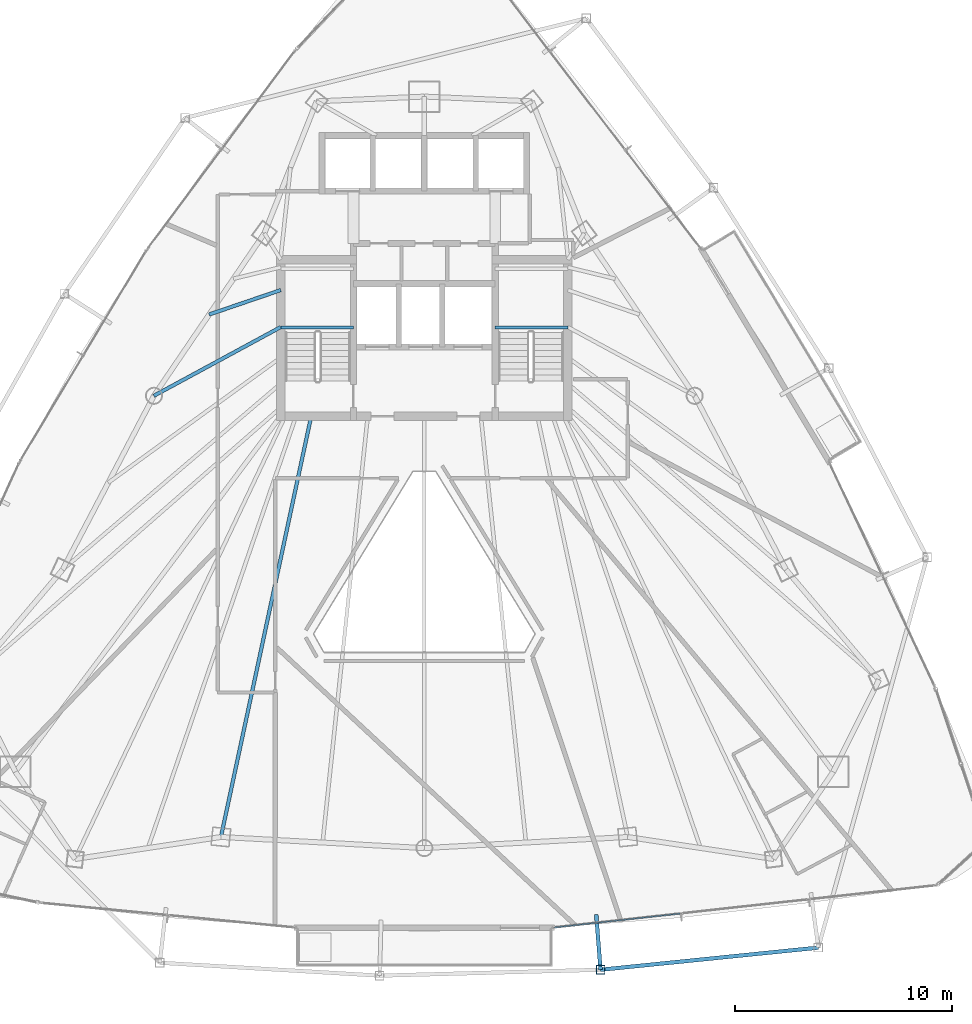
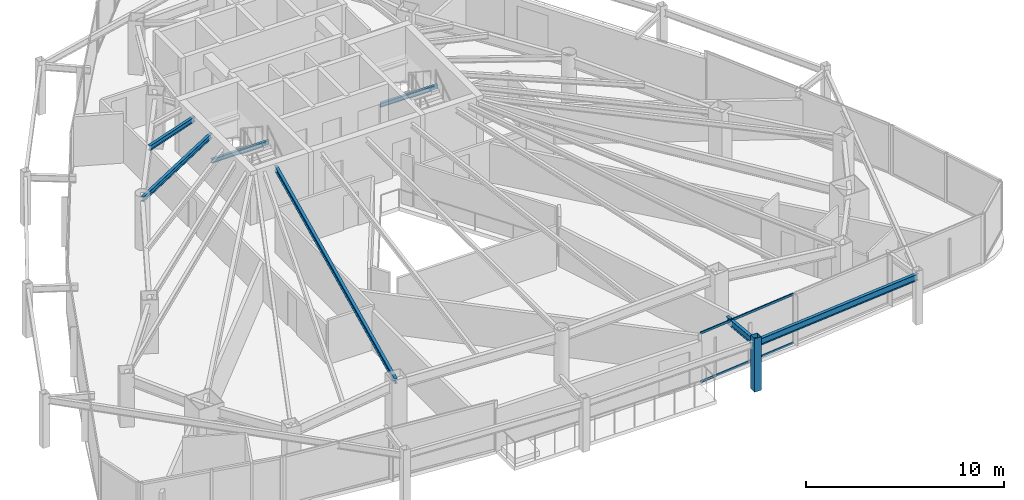
# One storey, part 12 of 31: 7 beams, 3 members, 1 element without a shape of its own.
"""IFC4 building model written with IfcOpenShell, lengths in metres."""

from ifc_helpers import new_model, si_unit, direction, frame, origin, origin_2d, place, context, subcontext, project, spatial, hollow_rectangle, i_section, extrude, material, layer, layer_set, material_profile, profile_set, type_object, element, aggregate, save


model = new_model("IFC4")

# Units and contexts
model_context = context("Model", 3, precision=1e-05, world=origin(), true_north=direction((0.0, 1.0)))
body_context = subcontext(model_context, "Body", "Model", "MODEL_VIEW")
ifc_project = project(units=[si_unit("LENGTHUNIT", "METRE"), si_unit("AREAUNIT", "SQUARE_METRE"), si_unit("VOLUMEUNIT", "CUBIC_METRE"), si_unit("PLANEANGLEUNIT", "RADIAN"), si_unit("MASSUNIT", "GRAM", prefix="KILO")], contexts=[model_context])

# Site, building, storey
site_placement = place(None, origin())
site = spatial("IfcSite", under=ifc_project, at=site_placement, CompositionType="ELEMENT")
building_placement = place(site_placement, origin())
building = spatial("IfcBuilding", under=site, at=building_placement, Name="Orvanel Arch Residences", CompositionType="ELEMENT")
storey_placement = place(building_placement, frame((0.0, 0.0, 126.5)))
storey = spatial("IfcBuildingStorey", under=building, at=storey_placement, Name="L35", CompositionType="ELEMENT", Elevation=126.5)

# Beams
ifc_material_1 = material(Name="Structural steel AS/NZS 3679.1 Grade 300 (300 MPa)", Category="steel")
ifc_material_profile_1 = material_profile(ifc_material_1, i_section(OverallWidth=0.14599609375, OverallDepth=0.251953125, WebThickness=0.006103515625, FlangeThickness=0.008544921875, at=origin_2d()), Name="250UB31.4")
ifc_profile_set_1 = profile_set([ifc_material_profile_1], Name="Structural steel AS/NZS 3679.1 Grade 300 (300 MPa)")
beam_type_1 = type_object("IfcBeamType", Name="BJ-250UB", PredefinedType="JOIST", material=ifc_profile_set_1)
for number, where, z_axis, x_axis, name in (
    (1, (26.39990234375, 30.780029296875, 1.323974609375), (1.0, 0.0, 0.0), (0.0, 1.0, 0.0), "L35 ST-1 Half-Landing Support Beam 1.1"),
    (2, (36.25, 30.780029296875, 1.323974609375), (1.0, 0.0, 0.0), (0.0, 1.0, 0.0), "L35 ST-2 Half-Landing Support Beam 1.1"),
):
    element("IfcBeam", number, at=place(storey_placement, frame(where, z_axis=z_axis, x_axis=x_axis)), inside=storey, type_object=beam_type_1, Name=name, PredefinedType="JOIST", context=body_context, shape_type="SweptSolid", body=[
        extrude(i_section(OverallWidth=0.14599609375, OverallDepth=0.251953125, WebThickness=0.006103515625, FlangeThickness=0.008544921875, at=origin_2d()), origin(), (0.0, 0.0, 1.0), 3.35009765625),
    ])
ifc_material_profile_2 = material_profile(ifc_material_1, i_section(OverallWidth=0.1650390625, OverallDepth=0.303955078125, WebThickness=0.006103515625, FlangeThickness=0.01025390625, at=origin_2d()), Name="310UB40.4")
ifc_profile_set_2 = profile_set([ifc_material_profile_2], Name="Structural steel AS/NZS 3679.1 Grade 300 (300 MPa)")
beam_type_2 = type_object("IfcBeamType", Name="BJ-310UB", PredefinedType="JOIST", material=ifc_profile_set_2)
beam_1_placement = place(storey_placement, frame((26.39990234375, 30.800048828125, 2.907958984375), z_axis=(-0.87925534649, -0.476350748576, 0.0), x_axis=(0.476350748576, -0.87925534649, 0.0)))
element("IfcBeam", 3, at=beam_1_placement, inside=storey, type_object=beam_type_2, Name="L35 NW Wing Floor Joist", PredefinedType="JOIST", context=body_context, shape_type="SweptSolid", body=[
    extrude(i_section(OverallWidth=0.1650390625, OverallDepth=0.303955078125, WebThickness=0.006103515625, FlangeThickness=0.01025390625, at=origin_2d()), origin(), (0.0, 0.0, 1.0), 6.631591796875),
])
beam_2_placement = place(storey_placement, frame((27.800048828125, 26.699951171875, 2.907958984375), z_axis=(-0.209808012425, -0.977742603103, 0.0), x_axis=(0.977742603103, -0.209808012425, 0.0)))
element("IfcBeam", 4, at=beam_2_placement, inside=storey, type_object=beam_type_2, Name="L35 SW Wing Floor Joist", PredefinedType="JOIST", context=body_context, shape_type="SweptSolid", body=[
    extrude(i_section(OverallWidth=0.1650390625, OverallDepth=0.303955078125, WebThickness=0.006103515625, FlangeThickness=0.01025390625, at=origin_2d()), origin(), (0.0, 0.0, 1.0), 19.785400390625),
])
beam_3_placement = place(storey_placement, frame((26.39990234375, 32.5, 2.907958984375), z_axis=(-0.946441958332, -0.322873999431, 0.0), x_axis=(0.322873999431, -0.946441958332, 0.0)))
element("IfcBeam", 5, at=beam_3_placement, inside=storey, type_object=beam_type_2, Name="L35 WNW Wing Floor Joist", PredefinedType="JOIST", context=body_context, shape_type="SweptSolid", body=[
    extrude(i_section(OverallWidth=0.1650390625, OverallDepth=0.303955078125, WebThickness=0.006103515625, FlangeThickness=0.01025390625, at=origin_2d()), origin(), (0.0, 0.0, 1.0), 3.478271484375),
])
ifc_material_profile_3 = material_profile(ifc_material_1, i_section(OverallWidth=0.177978515625, OverallDepth=0.406005859375, WebThickness=0.0078125, FlangeThickness=0.0126953125, at=origin_2d()), Name="410UB59.7")
ifc_profile_set_3 = profile_set([ifc_material_profile_3], Name="Structural steel AS/NZS 3679.1 Grade 300 (300 MPa)")
beam_type_3 = type_object("IfcBeamType", Name="OB-410UB-EXT", PredefinedType="SPANDREL", material=ifc_profile_set_3)
beam_4_placement = place(storey_placement, frame((40.904052734375, 3.7919921875, 2.85693359375), z_axis=(0.077655683152, -0.996980237956, 0.0), x_axis=(0.996980237956, 0.077655683152, 0.0)))
element("IfcBeam", 6, at=beam_4_placement, inside=storey, type_object=beam_type_3, Name="L35 Outer Frame Radial Tie Beam 07", PredefinedType="SPANDREL", context=body_context, shape_type="SweptSolid", body=[
    extrude(i_section(OverallWidth=0.177978515625, OverallDepth=0.406005859375, WebThickness=0.0078125, FlangeThickness=0.0126953125, at=origin_2d()), origin(), (0.0, 0.0, 1.0), 2.5498046875),
])
beam_5_placement = place(storey_placement, frame((41.10205078125, 1.25, 2.85693359375), z_axis=(0.994882564825, 0.101038023575, 0.0), x_axis=(-0.101038023575, 0.994882564825, 0.0)))
element("IfcBeam", 7, at=beam_5_placement, inside=storey, type_object=beam_type_3, Name="L35 Outer Perimeter Floor Ring Beam 07", PredefinedType="SPANDREL", context=body_context, shape_type="SweptSolid", body=[
    extrude(i_section(OverallWidth=0.177978515625, OverallDepth=0.406005859375, WebThickness=0.0078125, FlangeThickness=0.0126953125, at=origin_2d()), origin(), (0.0, 0.0, 1.0), 10.06640625),
])

# Member
ifc_material_2 = material(Name="Structural steel AS/NZS 1163 C450L0 (Grade 450)", Category="steel")
ifc_material_profile_4 = material_profile(ifc_material_2, hollow_rectangle(XDim=0.39990234375, YDim=0.39990234375, WallThickness=0.01611328125, at=origin_2d()), Name="SHS400x400x16")
ifc_profile_set_4 = profile_set([ifc_material_profile_4], Name="Structural steel AS/NZS 1163 C450L0 (Grade 450)")
member_type_1 = type_object("IfcMemberType", Name="ST-400SHS-EXT", PredefinedType="STRUT", material=ifc_profile_set_4)
member_1_placement = place(storey_placement, frame((41.10205078125, 1.25, 0.0), z_axis=(0.0, 0.0, 1.0), x_axis=(1.0, 0.0, 0.0)))
element("IfcMember", 8, at=member_1_placement, inside=storey, type_object=member_type_1, Name="L35 Outer Perimeter Frame Post 07", PredefinedType="STRUT", context=body_context, shape_type="SweptSolid", body=[
    extrude(hollow_rectangle(XDim=0.39990234375, YDim=0.39990234375, WallThickness=0.01611328125, at=origin_2d()), origin(), (0.0, 0.0, 1.0), 3.300048828125),
])

# Curtain wall, members
ifc_material_3 = material(Name="Bronze-anodised aluminium AA6063-T6", Category="aluminium")
ifc_layer = layer(ifc_material_3, 0.179931640625)
ifc_layer_set = layer_set([ifc_layer], Name="Bronze-anodised aluminium AA6063-T6")
curtain_wall_type = type_object("IfcCurtainWallType", Name="CW3-MID-SYS", PredefinedType="NOTDEFINED", material=ifc_layer_set)
curtain_wall_placement = place(storey_placement, origin())
curtain_wall = element("IfcCurtainWall", 9, at=curtain_wall_placement, inside=storey, type_object=curtain_wall_type, Name="L35 CW3-MID-SYS Unitised Curtain Wall", PredefinedType="NOTDEFINED")
ifc_material_profile_5 = material_profile(ifc_material_3, hollow_rectangle(XDim=0.06005859375, YDim=0.135009765625, WallThickness=0.00390625, at=origin_2d()), Name="ALU135x60x4")
ifc_profile_set_5 = profile_set([ifc_material_profile_5], Name="Bronze-anodised aluminium AA6063-T6")
member_type_2 = type_object("IfcMemberType", Name="TRN-135x60", PredefinedType="USERDEFINED", material=ifc_profile_set_5)
member_2_placement = place(storey_placement, frame((38.984619140625, 3.194580078125, 0.030029296875), z_axis=(0.993971530717, 0.109638479214, 0.0), x_axis=(-0.109638479214, 0.993971530717, 0.0)))
member_2 = element("IfcMember", 10, at=member_2_placement, type_object=member_type_2, Name="CW-S3 transom 1.1", ObjectType="TRANSOM", PredefinedType="USERDEFINED", context=body_context, shape_type="SweptSolid", body=[
    extrude(hollow_rectangle(XDim=0.06005859375, YDim=0.135009765625, WallThickness=0.00390625, at=origin_2d()), origin(), (0.0, 0.0, 1.0), 5.81201171875),
])
member_3_placement = place(storey_placement, frame((38.984619140625, 3.194580078125, 3.030029296875), z_axis=(0.993971530717, 0.109638479214, 0.0), x_axis=(-0.109638479214, 0.993971530717, 0.0)))
member_3 = element("IfcMember", 11, at=member_3_placement, type_object=member_type_2, Name="CW-S3 transom 1.2", ObjectType="TRANSOM", PredefinedType="USERDEFINED", context=body_context, shape_type="SweptSolid", body=[
    extrude(hollow_rectangle(XDim=0.06005859375, YDim=0.135009765625, WallThickness=0.00390625, at=origin_2d()), origin(), (0.0, 0.0, 1.0), 5.81201171875),
])
aggregate(curtain_wall, [member_2, member_3])

save(model, "model.ifc")
